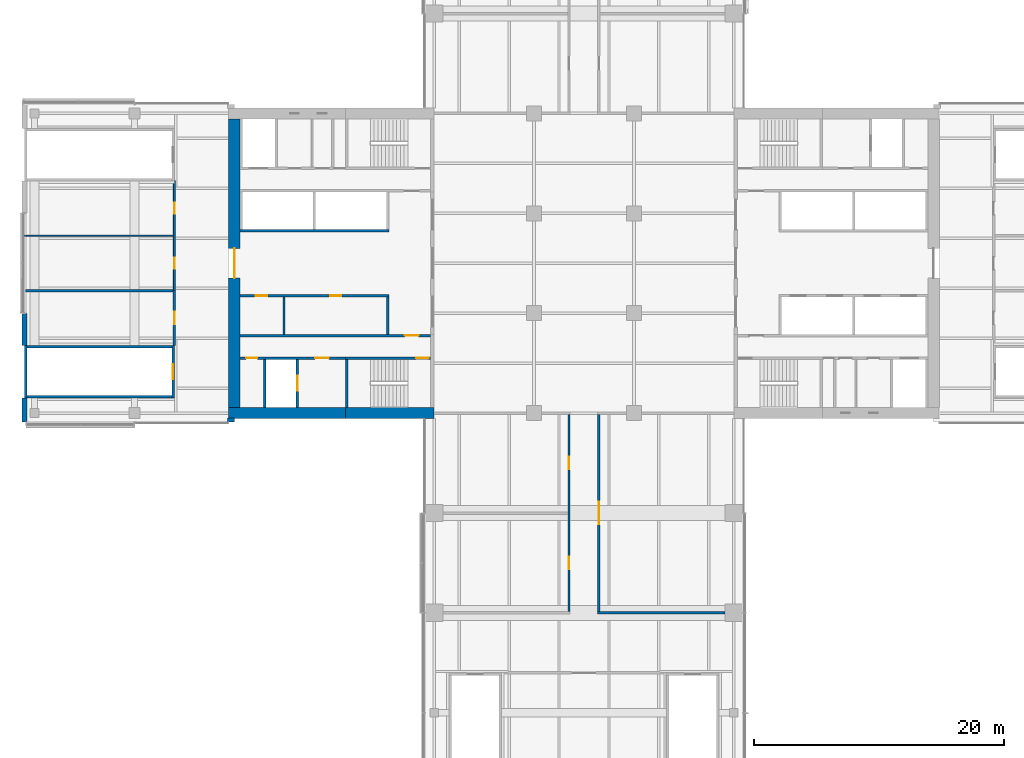
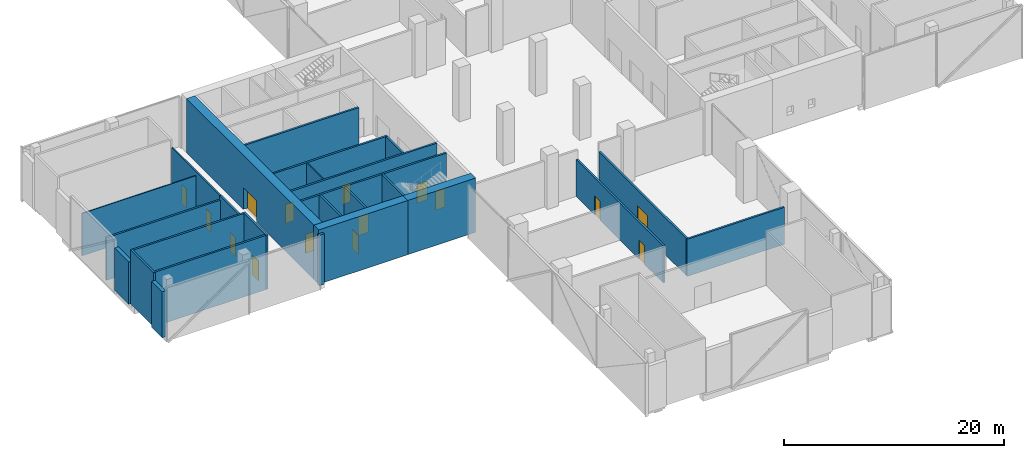
# One storey, part 14 of 23: 27 walls, 15 doors, 15 openings.
"""IFC4 building model written with IfcOpenShell, lengths in metres."""

import ifcopenshell
import ifcopenshell.guid

model = None  # the IFC model being written
_history = None  # IfcOwnerHistory: only IFC2X3 demands one
_inside = {}  # id of a spatial element -> (the spatial element, [elements in it])
_under = {}  # id of a project, library or spatial element -> (it, [spatial elements below it])
_declared = {}  # id of a project -> (the project, [libraries it declares])
_typed = {}  # id of a type object -> (the type object, [elements of that type])
_made_of = {}  # id of a material, layer set ... -> (it, [elements and type objects made of it])


def new_model(schema):
    """Start an empty IFC model of exactly this schema.

    Asked for "IFC4X3", IfcOpenShell would pick the latest addendum, in which some entities
    have other attributes; the version numbers below select the first issue.
    IFC2X3 requires an IfcOwnerHistory on every rooted entity: one is made here for all.
    """
    global model, _history
    if schema == "IFC4X3":
        model = ifcopenshell.file(schema_version=(4, 3, 0, 0))
    else:
        model = ifcopenshell.file(schema=schema)
    _inside.clear()
    _under.clear()
    _declared.clear()
    _typed.clear()
    _made_of.clear()
    _history = None
    if model.schema == "IFC2X3":
        org = make("IfcOrganization", Name="unknown")
        user = make(
            "IfcPersonAndOrganization",
            ThePerson=make("IfcPerson", FamilyName="unknown"),
            TheOrganization=org,
        )
        app = make(
            "IfcApplication",
            ApplicationDeveloper=org,
            Version="unknown",
            ApplicationFullName="unknown",
            ApplicationIdentifier="unknown",
        )
        _history = make(
            "IfcOwnerHistory",
            OwningUser=user,
            OwningApplication=app,
            ChangeAction="ADDED",
            CreationDate=0,
        )
    return model


def make(cls, **values):
    """One entity of the class cls with the attributes given. An attribute that is None is left unset."""
    return model.create_entity(
        cls, **{name: value for name, value in values.items() if value is not None}
    )


def rooted(cls, **values):
    """An entity with a GlobalId (a new one), such as an element, a storey or a relation."""
    return make(cls, GlobalId=ifcopenshell.guid.new(), OwnerHistory=_history, **values)


def si_unit(unit_type, name, prefix=None):
    """IfcSIUnit, for example si_unit("LENGTHUNIT", "METRE", prefix="MILLI")."""
    return make("IfcSIUnit", UnitType=unit_type, Prefix=prefix, Name=name)


def assignment(units):
    """IfcUnitAssignment: the units of a project."""
    return None if units is None else make("IfcUnitAssignment", Units=units)


def point(xyz):
    """IfcCartesianPoint."""
    return None if xyz is None else make("IfcCartesianPoint", Coordinates=xyz)


def direction(xyz):
    """IfcDirection."""
    return None if xyz is None else make("IfcDirection", DirectionRatios=xyz)


def frame(location, z_axis=None, x_axis=None):
    """IfcAxis2Placement3D, a coordinate frame: its origin and axes. An axis left out is left unset."""
    return make(
        "IfcAxis2Placement3D",
        Location=point(location),
        Axis=direction(z_axis),
        RefDirection=direction(x_axis),
    )


def frame_2d(location, x_axis=None):
    """IfcAxis2Placement2D, a coordinate frame in the plane: its origin and x axis."""
    return make(
        "IfcAxis2Placement2D", Location=point(location), RefDirection=direction(x_axis)
    )


def origin():
    """The frame at (0, 0, 0) with its axes left unset."""
    return frame((0.0, 0.0, 0.0))


def place(relative_to, where):
    """IfcLocalPlacement: puts the frame where relative to a parent placement (None: the world)."""
    return make(
        "IfcLocalPlacement", PlacementRelTo=relative_to, RelativePlacement=where
    )


def context(
    kind, dimensions, precision=None, world=None, true_north=None, identifier=None
):
    """IfcGeometricRepresentationContext, for example the 3D "Model" context."""
    return make(
        "IfcGeometricRepresentationContext",
        ContextIdentifier=identifier,
        ContextType=kind,
        CoordinateSpaceDimension=dimensions,
        Precision=precision,
        WorldCoordinateSystem=world,
        TrueNorth=true_north,
    )


def subcontext(parent, identifier, kind, view, scale=None):
    """IfcGeometricRepresentationSubContext, for example "Body" below "Model"."""
    return make(
        "IfcGeometricRepresentationSubContext",
        ContextIdentifier=identifier,
        ContextType=kind,
        ParentContext=parent,
        TargetScale=scale,
        TargetView=view,
    )


def project(units=None, contexts=None):
    """IfcProject with its units and contexts."""
    return rooted(
        "IfcProject",
        Name="project",
        RepresentationContexts=contexts,
        UnitsInContext=assignment(units),
    )


def spatial(cls, under=None, at=None, **own):
    """A site, building, storey or space (cls), placed at a placement, below another one or the project."""
    s = rooted(cls, ObjectPlacement=at, **own)
    if under is not None:
        _under.setdefault(under.id(), (under, []))[1].append(s)
    return s


def profile(cls, at=None, kind="AREA", **sizes):
    """A parametric profile (cls). Its sizes go by their IFC names, for example OverallWidth=200.0."""
    return make(cls, ProfileType=kind, Position=at, **sizes)


def rectangle(**sizes):
    """IfcRectangleProfileDef."""
    return profile("IfcRectangleProfileDef", **sizes)


def extrude(swept, where, along, depth):
    """IfcExtrudedAreaSolid: the profile swept, set in the frame where, extruded along a direction by depth."""
    return make(
        "IfcExtrudedAreaSolid",
        SweptArea=swept,
        Position=where,
        ExtrudedDirection=direction(along),
        Depth=depth,
    )


def shape(context_of_items, identifier, shape_type, items):
    """IfcShapeRepresentation: the items that make up one representation, for example the "Body"."""
    return make(
        "IfcShapeRepresentation",
        ContextOfItems=context_of_items,
        RepresentationIdentifier=identifier,
        RepresentationType=shape_type,
        Items=items,
    )


def material(Name=None, Category=None):
    """IfcMaterial."""
    return make("IfcMaterial", Name=Name, Category=Category)


def layer(
    of_material, thickness, ventilated=None, Name=None, Category=None, Priority=None
):
    """IfcMaterialLayer: one layer of a wall or slab, of a material (None: an air gap)."""
    return make(
        "IfcMaterialLayer",
        Material=of_material,
        LayerThickness=thickness,
        IsVentilated=ventilated,
        Name=Name,
        Category=Category,
        Priority=Priority,
    )


def layer_set(layers, Name=None):
    """IfcMaterialLayerSet."""
    return make("IfcMaterialLayerSet", MaterialLayers=layers, LayerSetName=Name)


def constituent(of_material, Name=None, Category=None, fraction=None):
    """IfcMaterialConstituent: one of the materials an element consists of."""
    return make(
        "IfcMaterialConstituent",
        Name=Name,
        Material=of_material,
        Fraction=fraction,
        Category=Category,
    )


def constituent_set(constituents=None, Name=None):
    """IfcMaterialConstituentSet."""
    return make(
        "IfcMaterialConstituentSet", Name=Name, MaterialConstituents=constituents
    )


def made_of(thing, what):
    """Note that an element or type object is made of a material, layer set ...; save() writes the relation."""
    if what is not None:
        _made_of.setdefault(what.id(), (what, []))[1].append(thing)
    return thing


def type_object(cls, material=None, **own):
    """A type object (cls), such as IfcWallType, which elements share."""
    return made_of(rooted(cls, **own), material)


def element(
    cls,
    number,
    at=None,
    inside=None,
    cuts=None,
    type_object=None,
    material=None,
    context=None,
    identifier="Body",
    shape_type=None,
    held_by="IfcProductDefinitionShape",
    body=None,
    shapes=None,
    **own,
):
    """One element of the class cls, such as IfcWall. Its Tag is "e" and its number.

    at: its placement. inside: the storey or other place that contains it. cuts: it is an
    opening in that element (IfcRelVoidsElement). A single representation is given by context,
    identifier, shape_type and body (its items); several are given by shapes. held_by: the class
    of the entity that holds the representations. save() writes the other relations.
    """
    e = rooted(cls, Tag="e%d" % number, ObjectPlacement=at, **own)
    if body is not None:
        shapes = [shape(context, identifier, shape_type, body)]
    if shapes is not None:
        e.Representation = make(held_by, Representations=shapes)
    if inside is not None:
        _inside.setdefault(inside.id(), (inside, []))[1].append(e)
    if cuts is not None:
        rooted(
            "IfcRelVoidsElement", RelatingBuildingElement=cuts, RelatedOpeningElement=e
        )
    if type_object is not None:
        _typed.setdefault(type_object.id(), (type_object, []))[1].append(e)
    return made_of(e, material)


def fill(opening, filler):
    """IfcRelFillsElement: the door or window that sits in an opening."""
    return rooted(
        "IfcRelFillsElement",
        RelatingOpeningElement=opening,
        RelatedBuildingElement=filler,
    )


def aggregate(whole, parts):
    """IfcRelAggregates: a whole, such as a stair, and the parts it consists of."""
    return rooted("IfcRelAggregates", RelatingObject=whole, RelatedObjects=parts)


def save(model, path):
    """Write the relations noted so far, then the file.

    IfcRelAggregates (storeys below a building ...), IfcRelContainedInSpatialStructure (elements
    in a storey), IfcRelDefinesByType, IfcRelAssociatesMaterial and IfcRelDeclares: one each for
    every whole, place, type object, material and project.
    """
    for whole, parts in _under.values():
        aggregate(whole, parts)
    for where, things in _inside.values():
        rooted(
            "IfcRelContainedInSpatialStructure",
            RelatedElements=things,
            RelatingStructure=where,
        )
    for kind, things in _typed.values():
        rooted("IfcRelDefinesByType", RelatedObjects=things, RelatingType=kind)
    for what, things in _made_of.values():
        rooted("IfcRelAssociatesMaterial", RelatedObjects=things, RelatingMaterial=what)
    for by, libraries in _declared.values():
        rooted("IfcRelDeclares", RelatingContext=by, RelatedDefinitions=libraries)
    model.write(path)


model = new_model("IFC4")

# Units and contexts
model_context = context("Model", 3, precision=1e-05, world=origin(), true_north=direction((0.0, 1.0)))
body_context = subcontext(model_context, "Body", "Model", "MODEL_VIEW")
ifc_project = project(units=[si_unit("LENGTHUNIT", "METRE"), si_unit("AREAUNIT", "SQUARE_METRE"), si_unit("VOLUMEUNIT", "CUBIC_METRE"), si_unit("PLANEANGLEUNIT", "RADIAN"), si_unit("MASSUNIT", "GRAM", prefix="KILO")], contexts=[model_context])

# Site, building, storey
site_placement = place(None, origin())
site = spatial("IfcSite", under=ifc_project, at=site_placement, CompositionType="ELEMENT")
building_placement = place(site_placement, origin())
building = spatial("IfcBuilding", under=site, at=building_placement, Name="Crosswind Convention Tower", CompositionType="ELEMENT")
storey_placement = place(building_placement, frame((0.0, 0.0, 41.5)))
storey = spatial("IfcBuildingStorey", under=building, at=storey_placement, Name="L05", CompositionType="ELEMENT", Elevation=41.5)

# Wall, openings, doors
ifc_material_1 = material(Name="Plasterboard partition", Category="gypsum")
ifc_layer_1 = layer(ifc_material_1, 0.14990234375)
ifc_layer_set_1 = layer_set([ifc_layer_1], Name="CORRIDOR WALL 150")
wall_type_1 = type_object("IfcWallType", Name="CORRIDOR WALL 150", PredefinedType="PARTITIONING", material=ifc_layer_set_1)
wall_1_placement = place(storey_placement, frame((92.199951171875, 97.800048828125, 0.0), z_axis=(0.0, 0.0, 1.0), x_axis=(0.0, 1.0, 0.0)))
wall_1 = element("IfcWall", 1, at=wall_1_placement, inside=storey, type_object=wall_type_1, Name="Corridor Wall 43", PredefinedType="PARTITIONING", context=body_context, shape_type="SweptSolid", body=[
    extrude(rectangle(XDim=8.800048828125, YDim=0.14990234375, at=frame_2d((4.39990234375, 0.0))), origin(), (0.0, 0.0, 1.0), 5.142822265625),
])
opening_1_placement = place(wall_1_placement, frame((1.75, 0.0, 0.0)))
opening_1 = element("IfcOpeningElement", 2, at=opening_1_placement, cuts=wall_1, Name="Opening 05.014", PredefinedType="OPENING", context=body_context, shape_type="SweptSolid", body=[
    extrude(rectangle(XDim=0.89990234375, YDim=2.10009765625, at=frame_2d((0.449951171875, 1.050048828125))), frame((0.0, 0.0849609375, 0.0), z_axis=(0.0, -1.0, 0.0), x_axis=(1.0, 0.0, 0.0)), (0.0, 0.0, 1.0), 0.169921875),
])
opening_2_placement = place(wall_1_placement, frame((6.14990234375, 0.0, 0.0)))
opening_2 = element("IfcOpeningElement", 3, at=opening_2_placement, cuts=wall_1, Name="Opening 05.015", PredefinedType="OPENING", context=body_context, shape_type="SweptSolid", body=[
    extrude(rectangle(XDim=0.89990234375, YDim=2.10009765625, at=frame_2d((0.449951171875, 1.050048828125))), frame((0.0, 0.0849609375, 0.0), z_axis=(0.0, -1.0, 0.0), x_axis=(1.0, 0.0, 0.0)), (0.0, 0.0, 1.0), 0.169921875),
])
ifc_material_2 = material(Name="Timber door", Category="wood")
door_type_1 = type_object("IfcDoorType", Name="WC DOOR 900X2100", OperationType="NOTDEFINED", PredefinedType="DOOR", material=ifc_material_2)
door_1_placement = place(opening_1_placement, origin())
door_1 = element("IfcDoor", 4, at=door_1_placement, inside=storey, type_object=door_type_1, Name="Door 05.014", ObjectType="D7", OperationType="SINGLE_SWING_RIGHT", OverallHeight=2.10009765625, OverallWidth=0.89990234375, PredefinedType="DOOR", context=body_context, shape_type="SweptSolid", body=[
    extrude(rectangle(XDim=0.89990234375, YDim=2.10009765625, at=frame_2d((0.449951171875, 1.050048828125))), frame((0.0, 0.02490234375, 0.0), z_axis=(0.0, -1.0, 0.0), x_axis=(1.0, 0.0, 0.0)), (0.0, 0.0, 1.0), 0.050048828125),
])
fill(opening_1, door_1)
door_2_placement = place(opening_2_placement, origin())
door_2 = element("IfcDoor", 5, at=door_2_placement, inside=storey, type_object=door_type_1, Name="Door 05.015", ObjectType="D7", OperationType="SINGLE_SWING_RIGHT", OverallHeight=2.10009765625, OverallWidth=0.89990234375, PredefinedType="DOOR", context=body_context, shape_type="SweptSolid", body=[
    extrude(rectangle(XDim=0.89990234375, YDim=2.10009765625, at=frame_2d((0.449951171875, 1.050048828125))), frame((0.0, 0.02490234375, 0.0), z_axis=(0.0, -1.0, 0.0), x_axis=(1.0, 0.0, 0.0)), (0.0, 0.0, 1.0), 0.050048828125),
])
fill(opening_2, door_2)

# Wall, opening, door
ifc_material_3 = material(Name="Concrete C60/75", Category="concrete")
ifc_layer_2 = layer(ifc_material_3, 0.89990234375)
ifc_layer_set_2 = layer_set([ifc_layer_2], Name="Concrete C60/75")
wall_type_2 = type_object("IfcWallType", Name="Concrete core wall 900", PredefinedType="SHEAR", material=ifc_layer_set_2)
wall_2_placement = place(storey_placement, frame((97.0, 111.550048828125, 0.0), z_axis=(0.0, 0.0, 1.0), x_axis=(0.0, -1.0, 0.0)))
wall_2 = element("IfcWall", 6, at=wall_2_placement, inside=storey, type_object=wall_type_2, Name="Wall O W L05", PredefinedType="SHEAR", context=body_context, shape_type="SweptSolid", body=[
    extrude(rectangle(XDim=23.10009765625, YDim=0.89990234375, at=frame_2d((11.550048828125, 0.0))), origin(), (0.0, 0.0, 1.0), 6.0),
])
opening_3_placement = place(wall_2_placement, frame((10.35009765625, 0.0, 0.0)))
opening_3 = element("IfcOpeningElement", 7, at=opening_3_placement, cuts=wall_2, Name="Opening D100", PredefinedType="OPENING", context=body_context, shape_type="SweptSolid", body=[
    extrude(rectangle(XDim=2.39990234375, YDim=2.39990234375, at=frame_2d((1.199951171875, 1.199951171875))), frame((0.0, 0.4599609375, 0.0), z_axis=(0.0, -1.0, 0.0), x_axis=(1.0, 0.0, 0.0)), (0.0, 0.0, 1.0), 0.919921875),
])
ifc_material_4 = material(Name="Steel fire door with glazed vision panels", Category="steel")
door_type_2 = type_object("IfcDoorType", Name="Fire-rated double door 2400x2400", OperationType="DOUBLE_DOOR_SINGLE_SWING", PredefinedType="DOOR", material=ifc_material_4)
door_3_placement = place(opening_3_placement, frame((2.39990234375, 0.0, 0.0), z_axis=(0.0, 0.0, 1.0), x_axis=(-1.0, 0.0, 0.0)))
door_3 = element("IfcDoor", 8, at=door_3_placement, inside=storey, type_object=door_type_2, Name="Lobby outer door L05", ObjectType="D100", OperationType="DOUBLE_DOOR_SINGLE_SWING", OverallHeight=2.39990234375, OverallWidth=2.39990234375, PredefinedType="DOOR", context=body_context, shape_type="SweptSolid", body=[
    extrude(rectangle(XDim=2.39990234375, YDim=2.39990234375, at=frame_2d((1.199951171875, 1.199951171875))), frame((0.0, 0.02490234375, 0.0), z_axis=(0.0, -1.0, 0.0), x_axis=(1.0, 0.0, 0.0)), (0.0, 0.0, 1.0), 0.050048828125),
])
fill(opening_3, door_3)

# Wall
ifc_material_5 = material(Name="Concrete C50/60", Category="concrete")
ifc_layer_3 = layer(ifc_material_5, 0.199951171875)
ifc_layer_set_3 = layer_set([ifc_layer_3], Name="Concrete C50/60")
wall_type_3 = type_object("IfcWallType", Name="Concrete shaft and stair wall 200", PredefinedType="SHEAR", material=ifc_layer_set_3)
wall_3_placement = place(storey_placement, frame((109.300048828125, 97.300048828125, 0.0), z_axis=(0.0, 0.0, 1.0), x_axis=(0.0, -1.0, 0.0)))
element("IfcWall", 9, at=wall_3_placement, inside=storey, type_object=wall_type_3, Name="Wall RPEND W L05", PredefinedType="SHEAR", context=body_context, shape_type="SweptSolid", body=[
    extrude(rectangle(XDim=3.0, YDim=0.199951171875, at=frame_2d((1.5, 0.0))), origin(), (0.0, 0.0, 1.0), 6.0),
])

# Wall, openings, doors
wall_4_placement = place(storey_placement, frame((109.39990234375, 97.39990234375, 0.0), z_axis=(0.0, 0.0, 1.0), x_axis=(-1.0, 0.0, 0.0)))
wall_4 = element("IfcWall", 10, at=wall_4_placement, inside=storey, type_object=wall_type_3, Name="Wall RPFRONT W L05", PredefinedType="SHEAR", context=body_context, shape_type="SweptSolid", body=[
    extrude(rectangle(XDim=11.949951171875, YDim=0.199951171875, at=frame_2d((5.97509765625, 0.0))), origin(), (0.0, 0.0, 1.0), 6.0),
])
opening_4_placement = place(wall_4_placement, frame((3.831298828125, 0.0, 0.0)))
opening_4 = element("IfcOpeningElement", 11, at=opening_4_placement, cuts=wall_4, Name="Opening D106", PredefinedType="OPENING", context=body_context, shape_type="SweptSolid", body=[
    extrude(rectangle(XDim=0.89990234375, YDim=2.10009765625, at=frame_2d((0.449951171875, 1.050048828125))), frame((0.0, 0.10986328125, 0.0), z_axis=(0.0, -1.0, 0.0), x_axis=(1.0, 0.0, 0.0)), (0.0, 0.0, 1.0), 0.219970703125),
])
opening_5_placement = place(wall_4_placement, frame((9.768798828125, 0.0, 0.0)))
opening_5 = element("IfcOpeningElement", 12, at=opening_5_placement, cuts=wall_4, Name="Opening D106", PredefinedType="OPENING", context=body_context, shape_type="SweptSolid", body=[
    extrude(rectangle(XDim=0.89990234375, YDim=2.10009765625, at=frame_2d((0.449951171875, 1.050048828125))), frame((0.0, 0.10986328125, 0.0), z_axis=(0.0, -1.0, 0.0), x_axis=(1.0, 0.0, 0.0)), (0.0, 0.0, 1.0), 0.219970703125),
])
door_type_3 = type_object("IfcDoorType", Name="Single leaf door 900x2100", OperationType="NOTDEFINED", PredefinedType="DOOR", material=ifc_material_2)
door_4_placement = place(opening_4_placement, origin())
door_4 = element("IfcDoor", 13, at=door_4_placement, inside=storey, type_object=door_type_3, Name="Door to cloakroom L05", ObjectType="D106", OperationType="SINGLE_SWING_RIGHT", OverallHeight=2.10009765625, OverallWidth=0.89990234375, PredefinedType="DOOR", context=body_context, shape_type="SweptSolid", body=[
    extrude(rectangle(XDim=0.89990234375, YDim=2.10009765625, at=frame_2d((0.449951171875, 1.050048828125))), frame((0.0, 0.02490234375, 0.0), z_axis=(0.0, -1.0, 0.0), x_axis=(1.0, 0.0, 0.0)), (0.0, 0.0, 1.0), 0.050048828125),
])
fill(opening_4, door_4)
door_5_placement = place(opening_5_placement, origin())
door_5 = element("IfcDoor", 14, at=door_5_placement, inside=storey, type_object=door_type_3, Name="Door to press room L05", ObjectType="D106", OperationType="SINGLE_SWING_RIGHT", OverallHeight=2.10009765625, OverallWidth=0.89990234375, PredefinedType="DOOR", context=body_context, shape_type="SweptSolid", body=[
    extrude(rectangle(XDim=0.89990234375, YDim=2.10009765625, at=frame_2d((0.449951171875, 1.050048828125))), frame((0.0, 0.02490234375, 0.0), z_axis=(0.0, -1.0, 0.0), x_axis=(1.0, 0.0, 0.0)), (0.0, 0.0, 1.0), 0.050048828125),
])
fill(opening_5, door_5)

# Wall
wall_5_placement = place(storey_placement, frame((109.39990234375, 102.60009765625, 0.0), z_axis=(0.0, 0.0, 1.0), x_axis=(-1.0, 0.0, 0.0)))
element("IfcWall", 15, at=wall_5_placement, inside=storey, type_object=wall_type_3, Name="Wall RMFRONT W L05", PredefinedType="SHEAR", context=body_context, shape_type="SweptSolid", body=[
    extrude(rectangle(XDim=11.949951171875, YDim=0.199951171875, at=frame_2d((5.97509765625, 0.0))), origin(), (0.0, 0.0, 1.0), 6.0),
])

# Wall, opening, door
wall_6_placement = place(storey_placement, frame((112.699951171875, 94.199951171875, 0.0), z_axis=(0.0, 0.0, 1.0), x_axis=(-1.0, 0.0, 0.0)))
wall_6 = element("IfcWall", 16, at=wall_6_placement, inside=storey, type_object=wall_type_3, Name="Wall HP W L05", PredefinedType="SHEAR", context=body_context, shape_type="SweptSolid", body=[
    extrude(rectangle(XDim=15.25, YDim=0.199951171875, at=frame_2d((7.625, 0.0))), origin(), (0.0, 0.0, 1.0), 6.0),
])
opening_6_placement = place(wall_6_placement, frame((0.949951171875, 0.0, 0.0)))
opening_6 = element("IfcOpeningElement", 17, at=opening_6_placement, cuts=wall_6, Name="Opening D104", PredefinedType="OPENING", context=body_context, shape_type="SweptSolid", body=[
    extrude(rectangle(XDim=1.10009765625, YDim=2.10009765625, at=frame_2d((0.550048828125, 1.050048828125))), frame((0.0, 0.10986328125, 0.0), z_axis=(0.0, -1.0, 0.0), x_axis=(1.0, 0.0, 0.0)), (0.0, 0.0, 1.0), 0.219970703125),
])
ifc_material_6 = material(Name="Steel fire door", Category="steel")
door_type_4 = type_object("IfcDoorType", Name="Fire-rated single door 1100x2100", OperationType="NOTDEFINED", PredefinedType="DOOR", material=ifc_material_6)
door_6_placement = place(opening_6_placement, origin())
door_6 = element("IfcDoor", 18, at=door_6_placement, inside=storey, type_object=door_type_4, Name="Corridor door L05", ObjectType="D104", OperationType="SINGLE_SWING_LEFT", OverallHeight=2.10009765625, OverallWidth=1.10009765625, PredefinedType="DOOR", context=body_context, shape_type="SweptSolid", body=[
    extrude(rectangle(XDim=1.10009765625, YDim=2.10009765625, at=frame_2d((0.550048828125, 1.050048828125))), frame((0.0, 0.02490234375, 0.0), z_axis=(0.0, -1.0, 0.0), x_axis=(1.0, 0.0, 0.0)), (0.0, 0.0, 1.0), 0.050048828125),
])
fill(opening_6, door_6)

# Wall
wall_7_placement = place(storey_placement, frame((106.0, 92.300048828125, 0.0), z_axis=(0.0, 0.0, 1.0), x_axis=(0.0, -1.0, 0.0)))
element("IfcWall", 19, at=wall_7_placement, inside=storey, type_object=wall_type_3, Name="Wall PSE W L05", PredefinedType="SHEAR", context=body_context, shape_type="SweptSolid", body=[
    extrude(rectangle(XDim=3.85009765625, YDim=0.199951171875, at=frame_2d((1.925048828125, 0.0))), origin(), (0.0, 0.0, 1.0), 6.0),
])

# Wall, opening, door
wall_8_placement = place(storey_placement, frame((102.050048828125, 92.300048828125, 0.0), z_axis=(0.0, 0.0, 1.0), x_axis=(0.0, -1.0, 0.0)))
wall_8 = element("IfcWall", 20, at=wall_8_placement, inside=storey, type_object=wall_type_3, Name="Wall PFLW W L05", PredefinedType="SHEAR", context=body_context, shape_type="SweptSolid", body=[
    extrude(rectangle(XDim=3.85009765625, YDim=0.199951171875, at=frame_2d((1.925048828125, 0.0))), origin(), (0.0, 0.0, 1.0), 6.0),
])
opening_7_placement = place(wall_8_placement, frame((1.324951171875, 0.0, 0.0)))
opening_7 = element("IfcOpeningElement", 21, at=opening_7_placement, cuts=wall_8, Name="Opening LD1", PredefinedType="OPENING", context=body_context, shape_type="SweptSolid", body=[
    extrude(rectangle(XDim=1.199951171875, YDim=2.10009765625, at=frame_2d((0.60009765625, 1.050048828125))), frame((0.0, 0.10986328125, 0.0), z_axis=(0.0, -1.0, 0.0), x_axis=(1.0, 0.0, 0.0)), (0.0, 0.0, 1.0), 0.219970703125),
])
ifc_material_7 = material(Name="Stainless steel", Category="steel")
door_type_5 = type_object("IfcDoorType", Name="Lift landing door 1200x2100", OperationType="DOUBLE_DOOR_SLIDING", PredefinedType="DOOR", material=ifc_material_7)
door_7_placement = place(opening_7_placement, origin())
door_7 = element("IfcDoor", 22, at=door_7_placement, inside=storey, type_object=door_type_5, Name="Landing door FF2 L05", ObjectType="LD1", OperationType="DOUBLE_DOOR_SLIDING", OverallHeight=2.10009765625, OverallWidth=1.199951171875, PredefinedType="DOOR", context=body_context, shape_type="SweptSolid", body=[
    extrude(rectangle(XDim=1.199951171875, YDim=2.10009765625, at=frame_2d((0.60009765625, 1.050048828125))), frame((0.0, 0.02490234375, 0.0), z_axis=(0.0, -1.0, 0.0), x_axis=(1.0, 0.0, 0.0)), (0.0, 0.0, 1.0), 0.050048828125),
])
fill(opening_7, door_7)

# Wall
wall_9_placement = place(storey_placement, frame((99.449951171875, 92.300048828125, 0.0), z_axis=(0.0, 0.0, 1.0), x_axis=(0.0, -1.0, 0.0)))
element("IfcWall", 23, at=wall_9_placement, inside=storey, type_object=wall_type_3, Name="Wall PFSE W L05", PredefinedType="SHEAR", context=body_context, shape_type="SweptSolid", body=[
    extrude(rectangle(XDim=3.85009765625, YDim=0.199951171875, at=frame_2d((1.925048828125, 0.0))), origin(), (0.0, 0.0, 1.0), 6.0),
])

# Wall, opening, door
wall_10_placement = place(storey_placement, frame((112.699951171875, 92.39990234375, 0.0), z_axis=(0.0, 0.0, 1.0), x_axis=(-1.0, 0.0, 0.0)))
wall_10 = element("IfcWall", 24, at=wall_10_placement, inside=storey, type_object=wall_type_3, Name="Wall PCW W L05", PredefinedType="SHEAR", context=body_context, shape_type="SweptSolid", body=[
    extrude(rectangle(XDim=6.800048828125, YDim=0.199951171875, at=frame_2d((3.39990234375, 0.0))), origin(), (0.0, 0.0, 1.0), 6.0),
])
opening_8_placement = place(wall_10_placement, frame((0.14990234375, 0.0, 0.0)))
opening_8 = element("IfcOpeningElement", 25, at=opening_8_placement, cuts=wall_10, Name="Opening D103", PredefinedType="OPENING", context=body_context, shape_type="SweptSolid", body=[
    extrude(rectangle(XDim=1.0, YDim=2.10009765625, at=frame_2d((0.5, 1.050048828125))), frame((0.0, 0.10986328125, 0.0), z_axis=(0.0, -1.0, 0.0), x_axis=(1.0, 0.0, 0.0)), (0.0, 0.0, 1.0), 0.219970703125),
])
door_type_6 = type_object("IfcDoorType", Name="Fire-rated single door 1000x2100", OperationType="NOTDEFINED", PredefinedType="DOOR", material=ifc_material_6)
door_8_placement = place(opening_8_placement, origin())
door_8 = element("IfcDoor", 26, at=door_8_placement, inside=storey, type_object=door_type_6, Name="Stair ST3 door L05", ObjectType="D103", OperationType="SINGLE_SWING_LEFT", OverallHeight=2.10009765625, OverallWidth=1.0, PredefinedType="DOOR", context=body_context, shape_type="SweptSolid", body=[
    extrude(rectangle(XDim=1.0, YDim=2.10009765625, at=frame_2d((0.5, 1.050048828125))), frame((0.0, 0.02490234375, 0.0), z_axis=(0.0, -1.0, 0.0), x_axis=(1.0, 0.0, 0.0)), (0.0, 0.0, 1.0), 0.050048828125),
])
fill(opening_8, door_8)

# Wall, openings, doors
wall_11_placement = place(storey_placement, frame((105.89990234375, 92.39990234375, 0.0), z_axis=(0.0, 0.0, 1.0), x_axis=(-1.0, 0.0, 0.0)))
wall_11 = element("IfcWall", 27, at=wall_11_placement, inside=storey, type_object=wall_type_3, Name="Wall PCX W L05", PredefinedType="SHEAR", context=body_context, shape_type="SweptSolid", body=[
    extrude(rectangle(XDim=8.449951171875, YDim=0.199951171875, at=frame_2d((4.22509765625, 0.0))), origin(), (0.0, 0.0, 1.0), 6.0),
])
opening_9_placement = place(wall_11_placement, frame((1.324951171875, 0.0, 0.0)))
opening_9 = element("IfcOpeningElement", 28, at=opening_9_placement, cuts=wall_11, Name="Opening D104", PredefinedType="OPENING", context=body_context, shape_type="SweptSolid", body=[
    extrude(rectangle(XDim=1.10009765625, YDim=2.10009765625, at=frame_2d((0.550048828125, 1.050048828125))), frame((0.0, 0.10986328125, 0.0), z_axis=(0.0, -1.0, 0.0), x_axis=(1.0, 0.0, 0.0)), (0.0, 0.0, 1.0), 0.219970703125),
])
opening_10_placement = place(wall_11_placement, frame((7.050048828125, 0.0, 0.0)))
opening_10 = element("IfcOpeningElement", 29, at=opening_10_placement, cuts=wall_11, Name="Opening D106", PredefinedType="OPENING", context=body_context, shape_type="SweptSolid", body=[
    extrude(rectangle(XDim=0.89990234375, YDim=2.10009765625, at=frame_2d((0.449951171875, 1.050048828125))), frame((0.0, 0.10986328125, 0.0), z_axis=(0.0, -1.0, 0.0), x_axis=(1.0, 0.0, 0.0)), (0.0, 0.0, 1.0), 0.219970703125),
])
door_9_placement = place(opening_9_placement, origin())
door_9 = element("IfcDoor", 30, at=door_9_placement, inside=storey, type_object=door_type_4, Name="Fire-fighting lobby FF2 door L05", ObjectType="D104", OperationType="SINGLE_SWING_RIGHT", OverallHeight=2.10009765625, OverallWidth=1.10009765625, PredefinedType="DOOR", context=body_context, shape_type="SweptSolid", body=[
    extrude(rectangle(XDim=1.10009765625, YDim=2.10009765625, at=frame_2d((0.550048828125, 1.050048828125))), frame((0.0, 0.02490234375, 0.0), z_axis=(0.0, -1.0, 0.0), x_axis=(1.0, 0.0, 0.0)), (0.0, 0.0, 1.0), 0.050048828125),
])
fill(opening_9, door_9)
door_10_placement = place(opening_10_placement, origin())
door_10 = element("IfcDoor", 31, at=door_10_placement, inside=storey, type_object=door_type_3, Name="Door to comms room L05", ObjectType="D106", OperationType="SINGLE_SWING_RIGHT", OverallHeight=2.10009765625, OverallWidth=0.89990234375, PredefinedType="DOOR", context=body_context, shape_type="SweptSolid", body=[
    extrude(rectangle(XDim=0.89990234375, YDim=2.10009765625, at=frame_2d((0.449951171875, 1.050048828125))), frame((0.0, 0.02490234375, 0.0), z_axis=(0.0, -1.0, 0.0), x_axis=(1.0, 0.0, 0.0)), (0.0, 0.0, 1.0), 0.050048828125),
])
fill(opening_10, door_10)

# Walls
ifc_material_8 = material(Name="Gypsum plasterboard partition", Category="gypsum")
ifc_layer_4 = layer(ifc_material_8, 0.125)
ifc_layer_set_4 = layer_set([ifc_layer_4], Name="Drywall partition wall 125")
wall_type_4 = type_object("IfcWallType", Name="Drywall partition wall 125", PredefinedType="PARTITIONING", material=ifc_layer_set_4)
wall_12_placement = place(storey_placement, frame((100.97509765625, 97.300048828125, 0.0), z_axis=(0.0, 0.0, 1.0), x_axis=(0.0, -1.0, 0.0)))
element("IfcWall", 32, at=wall_12_placement, inside=storey, type_object=wall_type_4, Name="Wall RPP1 W L05", PredefinedType="PARTITIONING", context=body_context, shape_type="SweptSolid", body=[
    extrude(rectangle(XDim=3.0, YDim=0.125, at=frame_2d((1.5, 0.0))), origin(), (0.0, 0.0, 1.0), 6.0),
])
ifc_material_9 = material(Name="Double plasterboard partition", Category="gypsum")
ifc_layer_5 = layer(ifc_material_9, 0.199951171875)
ifc_layer_set_5 = layer_set([ifc_layer_5], Name="HALL WALL 200")
wall_type_5 = type_object("IfcWallType", Name="HALL WALL 200", PredefinedType="PARTITIONING", material=ifc_layer_set_5)
wall_13_placement = place(storey_placement, frame((126.10009765625, 72.0, 0.0), z_axis=(0.0, 0.0, 1.0), x_axis=(1.0, 0.0, 0.0)))
element("IfcWall", 33, at=wall_13_placement, inside=storey, type_object=wall_type_5, Name="Hall Wall 7", PredefinedType="PARTITIONING", context=body_context, shape_type="SweptSolid", body=[
    extrude(rectangle(XDim=10.199951171875, YDim=0.199951171875, at=frame_2d((5.10009765625, 0.0))), origin(), (0.0, 0.0, 1.0), 4.10009765625),
])
wall_14_placement = place(storey_placement, frame((80.199951171875, 97.800048828125, 0.0), z_axis=(0.0, 0.0, 1.0), x_axis=(1.0, 0.0, 0.0)))
element("IfcWall", 34, at=wall_14_placement, inside=storey, type_object=wall_type_5, Name="Hall Wall 17", PredefinedType="PARTITIONING", context=body_context, shape_type="SweptSolid", body=[
    extrude(rectangle(XDim=11.925048828125, YDim=0.199951171875, at=frame_2d((5.96240234375, 0.0))), origin(), (0.0, 0.0, 1.0), 4.699951171875),
])

# Wall, opening, door
wall_15_placement = place(storey_placement, frame((92.199951171875, 93.39990234375, 0.0), z_axis=(0.0, 0.0, 1.0), x_axis=(0.0, 1.0, 0.0)))
wall_15 = element("IfcWall", 35, at=wall_15_placement, inside=storey, type_object=wall_type_5, Name="Hall Wall 42", PredefinedType="PARTITIONING", context=body_context, shape_type="SweptSolid", body=[
    extrude(rectangle(XDim=4.400146484375, YDim=0.199951171875, at=frame_2d((2.2001953125, 0.0))), origin(), (0.0, 0.0, 1.0), 5.142822265625),
])
opening_11_placement = place(wall_15_placement, frame((1.699951171875, 0.0, 0.0)))
opening_11 = element("IfcOpeningElement", 36, at=opening_11_placement, cuts=wall_15, Name="Opening 05.013", PredefinedType="OPENING", context=body_context, shape_type="SweptSolid", body=[
    extrude(rectangle(XDim=1.0, YDim=2.10009765625, at=frame_2d((0.5, 1.050048828125))), frame((0.0, 0.10986328125, 0.0), z_axis=(0.0, -1.0, 0.0), x_axis=(1.0, 0.0, 0.0)), (0.0, 0.0, 1.0), 0.219970703125),
])
ifc_material_10 = material(Name="Timber fire door", Category="wood")
door_type_7 = type_object("IfcDoorType", Name="MEETING ROOM DOOR 1000X2100", OperationType="NOTDEFINED", PredefinedType="DOOR", material=ifc_material_10)
door_11_placement = place(opening_11_placement, frame((1.0, 0.0, 0.0), z_axis=(0.0, 0.0, 1.0), x_axis=(-1.0, 0.0, 0.0)))
door_11 = element("IfcDoor", 37, at=door_11_placement, inside=storey, type_object=door_type_7, Name="Door 05.013", ObjectType="D13", OperationType="SINGLE_SWING_LEFT", OverallHeight=2.10009765625, OverallWidth=1.0, PredefinedType="DOOR", context=body_context, shape_type="SweptSolid", body=[
    extrude(rectangle(XDim=1.0, YDim=2.10009765625, at=frame_2d((0.5, 1.050048828125))), frame((0.0, 0.02490234375, 0.0), z_axis=(0.0, -1.0, 0.0), x_axis=(1.0, 0.0, 0.0)), (0.0, 0.0, 1.0), 0.050048828125),
])
fill(opening_11, door_11)

# Wall, openings, doors
wall_16_placement = place(storey_placement, frame((123.800048828125, 72.10009765625, 0.0), z_axis=(0.0, 0.0, 1.0), x_axis=(0.0, 1.0, 0.0)))
wall_16 = element("IfcWall", 38, at=wall_16_placement, inside=storey, type_object=wall_type_5, Name="Hall Wall 48", PredefinedType="PARTITIONING", context=body_context, shape_type="SweptSolid", body=[
    extrude(rectangle(XDim=15.7998046875, YDim=0.199951171875, at=frame_2d((7.89990234375, 0.0))), origin(), (0.0, 0.0, 1.0), 4.10009765625),
])
opening_12_placement = place(wall_16_placement, frame((11.39990234375, 0.0, 0.0)))
opening_12 = element("IfcOpeningElement", 39, at=opening_12_placement, cuts=wall_16, Name="Opening 05.007", PredefinedType="OPENING", context=body_context, shape_type="SweptSolid", body=[
    extrude(rectangle(XDim=1.0, YDim=2.10009765625, at=frame_2d((0.5, 1.050048828125))), frame((0.0, 0.10986328125, 0.0), z_axis=(0.0, -1.0, 0.0), x_axis=(1.0, 0.0, 0.0)), (0.0, 0.0, 1.0), 0.219970703125),
])
opening_13_placement = place(wall_16_placement, frame((3.39990234375, 0.0, 0.0)))
opening_13 = element("IfcOpeningElement", 40, at=opening_13_placement, cuts=wall_16, Name="Opening 05.008", PredefinedType="OPENING", context=body_context, shape_type="SweptSolid", body=[
    extrude(rectangle(XDim=1.0, YDim=2.10009765625, at=frame_2d((0.5, 1.050048828125))), frame((0.0, 0.10986328125, 0.0), z_axis=(0.0, -1.0, 0.0), x_axis=(1.0, 0.0, 0.0)), (0.0, 0.0, 1.0), 0.219970703125),
])
door_12_placement = place(opening_12_placement, frame((1.0, 0.0, 0.0), z_axis=(0.0, 0.0, 1.0), x_axis=(-1.0, 0.0, 0.0)))
door_12 = element("IfcDoor", 41, at=door_12_placement, inside=storey, type_object=door_type_7, Name="Door 05.007", ObjectType="D13", OperationType="SINGLE_SWING_LEFT", OverallHeight=2.10009765625, OverallWidth=1.0, PredefinedType="DOOR", context=body_context, shape_type="SweptSolid", body=[
    extrude(rectangle(XDim=1.0, YDim=2.10009765625, at=frame_2d((0.5, 1.050048828125))), frame((0.0, 0.02490234375, 0.0), z_axis=(0.0, -1.0, 0.0), x_axis=(1.0, 0.0, 0.0)), (0.0, 0.0, 1.0), 0.050048828125),
])
fill(opening_12, door_12)
door_13_placement = place(opening_13_placement, frame((1.0, 0.0, 0.0), z_axis=(0.0, 0.0, 1.0), x_axis=(-1.0, 0.0, 0.0)))
door_13 = element("IfcDoor", 42, at=door_13_placement, inside=storey, type_object=door_type_7, Name="Door 05.008", ObjectType="D13", OperationType="SINGLE_SWING_RIGHT", OverallHeight=2.10009765625, OverallWidth=1.0, PredefinedType="DOOR", context=body_context, shape_type="SweptSolid", body=[
    extrude(rectangle(XDim=1.0, YDim=2.10009765625, at=frame_2d((0.5, 1.050048828125))), frame((0.0, 0.02490234375, 0.0), z_axis=(0.0, -1.0, 0.0), x_axis=(1.0, 0.0, 0.0)), (0.0, 0.0, 1.0), 0.050048828125),
])
fill(opening_13, door_13)

# Wall, opening, door
wall_17_placement = place(storey_placement, frame((126.199951171875, 72.10009765625, 0.0), z_axis=(0.0, 0.0, 1.0), x_axis=(0.0, 1.0, 0.0)))
wall_17 = element("IfcWall", 43, at=wall_17_placement, inside=storey, type_object=wall_type_5, Name="Hall Wall 50", PredefinedType="PARTITIONING", context=body_context, shape_type="SweptSolid", body=[
    extrude(rectangle(XDim=15.7998046875, YDim=0.199951171875, at=frame_2d((7.89990234375, 0.0))), origin(), (0.0, 0.0, 1.0), 4.10009765625),
])
opening_14_placement = place(wall_17_placement, frame((7.0, 0.0, 0.0)))
opening_14 = element("IfcOpeningElement", 44, at=opening_14_placement, cuts=wall_17, Name="Opening 05.006", PredefinedType="OPENING", context=body_context, shape_type="SweptSolid", body=[
    extrude(rectangle(XDim=1.800048828125, YDim=2.39990234375, at=frame_2d((0.89990234375, 1.199951171875))), frame((0.0, 0.10986328125, 0.0), z_axis=(0.0, -1.0, 0.0), x_axis=(1.0, 0.0, 0.0)), (0.0, 0.0, 1.0), 0.219970703125),
])
door_type_8 = type_object("IfcDoorType", Name="HALL DOUBLE DOOR 1800X2400", OperationType="DOUBLE_DOOR_SINGLE_SWING", PredefinedType="DOOR", material=ifc_material_10)
door_14_placement = place(opening_14_placement, frame((1.800048828125, 0.0, 0.0), z_axis=(0.0, 0.0, 1.0), x_axis=(-1.0, 0.0, 0.0)))
door_14 = element("IfcDoor", 45, at=door_14_placement, inside=storey, type_object=door_type_8, Name="Door 05.006", ObjectType="D5", OperationType="DOUBLE_DOOR_SINGLE_SWING", OverallHeight=2.39990234375, OverallWidth=1.800048828125, PredefinedType="DOOR", context=body_context, shape_type="SweptSolid", body=[
    extrude(rectangle(XDim=1.800048828125, YDim=2.39990234375, at=frame_2d((0.89990234375, 1.199951171875))), frame((0.0, 0.02490234375, 0.0), z_axis=(0.0, -1.0, 0.0), x_axis=(1.0, 0.0, 0.0)), (0.0, 0.0, 1.0), 0.050048828125),
])
fill(opening_14, door_14)

# Walls
ifc_layer_6 = layer(ifc_material_1, 0.10009765625)
ifc_layer_set_6 = layer_set([ifc_layer_6], Name="PARTITION 100")
wall_type_6 = type_object("IfcWallType", Name="PARTITION 100", PredefinedType="PARTITIONING", material=ifc_layer_set_6)
wall_18_placement = place(storey_placement, frame((80.199951171875, 102.199951171875, 0.0), z_axis=(0.0, 0.0, 1.0), x_axis=(1.0, 0.0, 0.0)))
element("IfcWall", 46, at=wall_18_placement, inside=storey, type_object=wall_type_6, Name="Partition 19", PredefinedType="PARTITIONING", context=body_context, shape_type="SweptSolid", body=[
    extrude(rectangle(XDim=11.925048828125, YDim=0.10009765625, at=frame_2d((5.96240234375, 0.0))), origin(), (0.0, 0.0, 1.0), 4.699951171875),
])
ifc_material_11 = material(Name="Concrete C40/50", Category="concrete")
ifc_layer_7 = layer(ifc_material_11, 0.199951171875)
ifc_layer_set_7 = layer_set([ifc_layer_7], Name="Concrete C40/50")
wall_type_7 = type_object("IfcWallType", Name="STAIR ENCLOSURE WALL 200", PredefinedType="SOLIDWALL", material=ifc_layer_set_7)
for number, where, z_axis, x_axis, name in (
    (47, (80.39990234375, 89.300048828125, 0.0), (0.0, 0.0, 1.0), (1.0, 0.0, 0.0), "Stair Enclosure Wall 13"),
    (48, (80.39990234375, 93.300048828125, 0.0), (0.0, 0.0, 1.0), (1.0, 0.0, 0.0), "Stair Enclosure Wall 15"),
):
    element("IfcWall", number, at=place(storey_placement, frame(where, z_axis=z_axis, x_axis=x_axis)), inside=storey, type_object=wall_type_7, Name=name, PredefinedType="SOLIDWALL", context=body_context, shape_type="SweptSolid", body=[
        extrude(rectangle(XDim=11.60009765625, YDim=0.199951171875, at=frame_2d((5.800048828125, 0.0))), origin(), (0.0, 0.0, 1.0), 6.0),
    ])
wall_19_placement = place(storey_placement, frame((80.300048828125, 89.199951171875, 0.0), z_axis=(0.0, 0.0, 1.0), x_axis=(0.0, 1.0, 0.0)))
element("IfcWall", 49, at=wall_19_placement, inside=storey, type_object=wall_type_7, Name="Stair Enclosure Wall 38", PredefinedType="SOLIDWALL", context=body_context, shape_type="SweptSolid", body=[
    extrude(rectangle(XDim=4.199951171875, YDim=0.199951171875, at=frame_2d((2.10009765625, 0.0))), origin(), (0.0, 0.0, 1.0), 6.0),
])

# Wall, opening, door
wall_20_placement = place(storey_placement, frame((92.10009765625, 89.199951171875, 0.0), z_axis=(0.0, 0.0, 1.0), x_axis=(0.0, 1.0, 0.0)))
wall_20 = element("IfcWall", 50, at=wall_20_placement, inside=storey, type_object=wall_type_7, Name="Stair Enclosure Wall 40", PredefinedType="SOLIDWALL", context=body_context, shape_type="SweptSolid", body=[
    extrude(rectangle(XDim=4.199951171875, YDim=0.199951171875, at=frame_2d((2.10009765625, 0.0))), origin(), (0.0, 0.0, 1.0), 6.0),
])
opening_15_placement = place(wall_20_placement, frame((1.5, 0.0, 0.0)))
opening_15 = element("IfcOpeningElement", 51, at=opening_15_placement, cuts=wall_20, Name="Opening 05.022", PredefinedType="OPENING", context=body_context, shape_type="SweptSolid", body=[
    extrude(rectangle(XDim=1.199951171875, YDim=2.199951171875, at=frame_2d((0.60009765625, 1.10009765625))), frame((0.0, 0.10986328125, 0.0), z_axis=(0.0, -1.0, 0.0), x_axis=(1.0, 0.0, 0.0)), (0.0, 0.0, 1.0), 0.219970703125),
])
door_type_9 = type_object("IfcDoorType", Name="STAIR DOOR 1200X2200", OperationType="NOTDEFINED", PredefinedType="DOOR", material=ifc_material_6)
door_15_placement = place(opening_15_placement, origin())
door_15 = element("IfcDoor", 52, at=door_15_placement, inside=storey, type_object=door_type_9, Name="Door 05.022", ObjectType="D4", OperationType="SINGLE_SWING_RIGHT", OverallHeight=2.199951171875, OverallWidth=1.199951171875, PredefinedType="DOOR", context=body_context, shape_type="SweptSolid", body=[
    extrude(rectangle(XDim=1.199951171875, YDim=2.199951171875, at=frame_2d((0.60009765625, 1.10009765625))), frame((0.0, 0.02490234375, 0.0), z_axis=(0.0, -1.0, 0.0), x_axis=(1.0, 0.0, 0.0)), (0.0, 0.0, 1.0), 0.050048828125),
])
fill(opening_15, door_15)

# Walls
ifc_material_12 = material(Name="Terracotta rainscreen", Category="ceramic")
ifc_layer_8 = layer(ifc_material_12, 0.02001953125)
ifc_material_13 = material(Name="Mineral wool insulation", Category="insulation")
ifc_layer_9 = layer(ifc_material_13, 0.10009765625)
ifc_material_14 = material(Name="Concrete blockwork", Category="masonry")
ifc_layer_10 = layer(ifc_material_14, 0.18603515625)
ifc_layer_set_8 = layer_set([ifc_layer_8, ifc_layer_9, ifc_layer_10], Name="TERRACOTTA CORNER INFILL WALL 306")
wall_type_8 = type_object("IfcWallType", Name="TERRACOTTA CORNER INFILL WALL 306", PredefinedType="SOLIDWALL", material=ifc_layer_set_8)
wall_21_placement = place(storey_placement, frame((96.445068359375, 87.452880859375, 0.0), z_axis=(0.0, 0.0, 1.0), x_axis=(1.0, 0.0, 0.0)))
element("IfcWall", 53, at=wall_21_placement, inside=storey, type_object=wall_type_8, Name="Core corner infill wall L05 3", PredefinedType="SOLIDWALL", context=body_context, shape_type="SweptSolid", body=[
    extrude(rectangle(XDim=0.554931640625, YDim=0.305908203125, at=frame_2d((0.27734375, 0.0))), origin(), (0.0, 0.0, 1.0), 5.60009765625),
])
ifc_layer_11 = layer(ifc_material_12, 0.02001953125)
ifc_layer_12 = layer(ifc_material_13, 0.10009765625)
ifc_layer_13 = layer(ifc_material_14, 0.280029296875)
ifc_layer_set_9 = layer_set([ifc_layer_11, ifc_layer_12, ifc_layer_13], Name="TERRACOTTA INFILL WALL 400")
wall_type_9 = type_object("IfcWallType", Name="TERRACOTTA INFILL WALL 400", PredefinedType="SOLIDWALL", material=ifc_layer_set_9)
wall_22_placement = place(storey_placement, frame((80.215087890625, 95.9599609375, 0.0), z_axis=(0.0, 0.0, 1.0), x_axis=(0.0, -1.0, 0.0)))
element("IfcWall", 54, at=wall_22_placement, inside=storey, type_object=wall_type_9, Name="Stair enclosure side wall L05 W-TIP.1-3.1", PredefinedType="SOLIDWALL", context=body_context, shape_type="SweptSolid", body=[
    extrude(rectangle(XDim=2.56005859375, YDim=0.39990234375, at=frame_2d((1.280029296875, 0.0))), origin(), (0.0, 0.0, 1.0), 4.699951171875),
])
wall_23_placement = place(storey_placement, frame((80.215087890625, 89.199951171875, 0.0), z_axis=(0.0, 0.0, 1.0), x_axis=(0.0, -1.0, 0.0)))
element("IfcWall", 55, at=wall_23_placement, inside=storey, type_object=wall_type_9, Name="Stair enclosure side wall L05 W-TIP.1-3.2", PredefinedType="SOLIDWALL", context=body_context, shape_type="SweptSolid", body=[
    extrude(rectangle(XDim=1.89990234375, YDim=0.39990234375, at=frame_2d((0.949951171875, 0.0))), origin(), (0.0, 0.0, 1.0), 5.10009765625),
])
ifc_constituent_1 = constituent(ifc_material_3, Name="Structure")
ifc_constituent_2 = constituent(ifc_material_12, Name="Facing")
ifc_constituent_set = constituent_set(constituents=[ifc_constituent_1, ifc_constituent_2], Name="Concrete C60/75, Terracotta rainscreen")
wall_type_10 = type_object("IfcWallType", Name="Terracotta rainscreen on concrete core wall 900", PredefinedType="SHEAR", material=ifc_constituent_set)
wall_24_placement = place(storey_placement, frame((113.0, 88.0, 0.0), z_axis=(0.0, 0.0, 1.0), x_axis=(-1.0, 0.0, 0.0)))
element("IfcWall", 56, at=wall_24_placement, inside=storey, type_object=wall_type_10, Name="Wall N1 W L05", PredefinedType="SHEAR", context=body_context, shape_type="SweptSolid", body=[
    extrude(rectangle(XDim=7.10009765625, YDim=0.89990234375, at=frame_2d((3.550048828125, 0.0))), origin(), (0.0, 0.0, 1.0), 6.0),
])
wall_25_placement = place(storey_placement, frame((105.89990234375, 88.0, 0.0), z_axis=(0.0, 0.0, 1.0), x_axis=(-1.0, 0.0, 0.0)))
element("IfcWall", 57, at=wall_25_placement, inside=storey, type_object=wall_type_10, Name="Wall N2 W L05", PredefinedType="SHEAR", context=body_context, shape_type="SweptSolid", body=[
    extrude(rectangle(XDim=9.349853515625, YDim=0.89990234375, at=frame_2d((4.6748046875, 0.0))), origin(), (0.0, 0.0, 1.0), 6.0),
])

save(model, "model.ifc")
